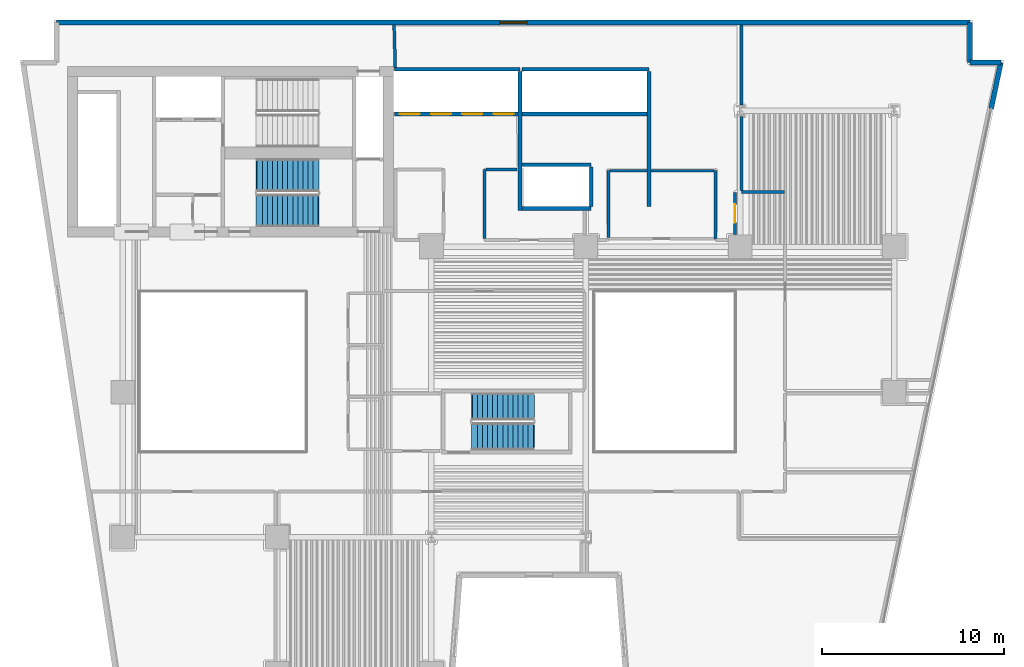
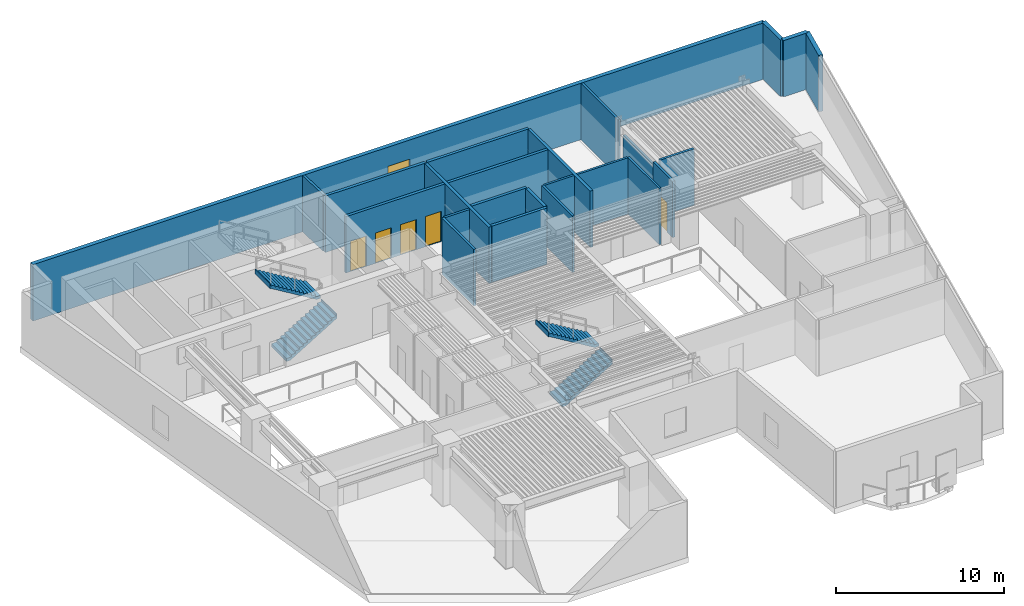
# One storey, part 6 of 12: 24 walls, 5 doors, 4 stair flights, 1 window, 6 openings, 2 elements without a shape of their own.
"""IFC4 building model written with IfcOpenShell, lengths in metres."""

from ifc_helpers import new_model, si_unit, direction, frame, frame_2d, origin, place, context, subcontext, project, spatial, polyline, rectangle, outline, extrude, material, layer, layer_set, type_object, element, fill, aggregate, save


model = new_model("IFC4")

# Units and contexts
model_context = context("Model", 3, precision=1e-05, world=origin(), true_north=direction((0.0, 1.0)))
body_context = subcontext(model_context, "Body", "Model", "MODEL_VIEW")
ifc_project = project(units=[si_unit("LENGTHUNIT", "METRE"), si_unit("AREAUNIT", "SQUARE_METRE"), si_unit("VOLUMEUNIT", "CUBIC_METRE"), si_unit("PLANEANGLEUNIT", "RADIAN"), si_unit("MASSUNIT", "GRAM", prefix="KILO")], contexts=[model_context])

# Site, building, storey
site_placement = place(None, origin())
site = spatial("IfcSite", under=ifc_project, at=site_placement, CompositionType="ELEMENT")
building_placement = place(site_placement, origin())
building = spatial("IfcBuilding", under=site, at=building_placement, Name="Caeloran Harvest Quay", CompositionType="ELEMENT")
storey_placement = place(building_placement, frame((0.0, 0.0, 27.0)))
storey = spatial("IfcBuildingStorey", under=building, at=storey_placement, Name="L06", CompositionType="ELEMENT", Elevation=27.0)

# Wall, opening, window
ifc_material_1 = material(Name="Precast concrete C50/60", Category="concrete")
ifc_layer_1 = layer(ifc_material_1, 0.280029296875, Name="Precast concrete C50/60")
ifc_layer_set_1 = layer_set([ifc_layer_1], Name="Precast concrete C50/60")
wall_type_1 = type_object("IfcWallType", Name="ENV-WALL-EW-280", PredefinedType="STANDARD", material=ifc_layer_set_1)
wall_1_placement = place(storey_placement, frame((4.840087890625, 43.360107421875, 0.0), z_axis=(0.0, 0.0, 1.0), x_axis=(1.0, 0.0, 0.0)))
wall_1 = element("IfcWall", 1, at=wall_1_placement, inside=storey, type_object=wall_type_1, Name="L06 Exterior Precast Concrete Facade Wall 6", PredefinedType="STANDARD", context=body_context, shape_type="SweptSolid", body=[
    extrude(rectangle(XDim=50.31982421875, YDim=0.280029296875, at=frame_2d((25.159912109375, 0.0))), origin(), (0.0, 0.0, 1.0), 4.10009765625),
])
opening_1_placement = place(wall_1_placement, frame((24.409912109375, 0.0, 0.89990234375)))
opening_1 = element("IfcOpeningElement", 2, at=opening_1_placement, cuts=wall_1, Name="Opening W-03", PredefinedType="OPENING", context=body_context, shape_type="SweptSolid", body=[
    extrude(rectangle(XDim=1.5, YDim=1.800048828125, at=frame_2d((0.75, 0.89990234375))), frame((0.0, 0.14990234375, 0.0), z_axis=(0.0, -1.0, 0.0), x_axis=(1.0, 0.0, 0.0)), (0.0, 0.0, 1.0), 0.300048828125),
])
ifc_material_2 = material(Name="Aluminium-Framed Low-E Laminated Glass", Category="aluminium")
window_type = type_object("IfcWindowType", Name="WIN-W-03", PartitioningType="SINGLE_PANEL", PredefinedType="WINDOW", material=ifc_material_2)
window_placement = place(opening_1_placement, origin())
window = element("IfcWindow", 3, at=window_placement, inside=storey, type_object=window_type, Name="L06 Facade Punched Window W-03", OverallHeight=1.800048828125, OverallWidth=1.5, PartitioningType="SINGLE_PANEL", PredefinedType="WINDOW", context=body_context, shape_type="SweptSolid", body=[
    extrude(rectangle(XDim=1.5, YDim=1.800048828125, at=frame_2d((0.75, 0.89990234375))), frame((0.0, 0.030029296875, 0.0), z_axis=(0.0, -1.0, 0.0), x_axis=(1.0, 0.0, 0.0)), (0.0, 0.0, 1.0), 0.06005859375),
])
fill(opening_1, window)

# Walls
wall_2_placement = place(storey_placement, frame((55.159912109375, 43.360107421875, 0.0), z_axis=(0.0, 0.0, 1.0), x_axis=(0.0, -1.0, 0.0)))
element("IfcWall", 4, at=wall_2_placement, inside=storey, type_object=wall_type_1, Name="L06 Exterior Precast Concrete Facade Wall 7", PredefinedType="STANDARD", context=body_context, shape_type="SweptSolid", body=[
    extrude(rectangle(XDim=2.2001953125, YDim=0.280029296875, at=frame_2d((1.10009765625, 0.0))), origin(), (0.0, 0.0, 1.0), 4.10009765625),
])
wall_3_placement = place(storey_placement, frame((55.159912109375, 41.159912109375, 0.0), z_axis=(0.0, 0.0, 1.0), x_axis=(1.0, 0.0, 0.0)))
element("IfcWall", 5, at=wall_3_placement, inside=storey, type_object=wall_type_1, Name="L06 Exterior Precast Concrete Facade Wall 8", PredefinedType="STANDARD", context=body_context, shape_type="SweptSolid", body=[
    extrude(rectangle(XDim=1.705322265625, YDim=0.280029296875, at=frame_2d((0.8525390625, 0.0))), origin(), (0.0, 0.0, 1.0), 4.10009765625),
])
wall_4_placement = place(storey_placement, frame((56.865234375, 41.159912109375, 0.0), z_axis=(0.0, 0.0, 1.0), x_axis=(-0.205551409765, -0.978646319128, 0.0)))
element("IfcWall", 6, at=wall_4_placement, inside=storey, type_object=wall_type_1, Name="L06 Exterior Facade Corner Pier Wall 9A", PredefinedType="STANDARD", context=body_context, shape_type="SweptSolid", body=[
    extrude(rectangle(XDim=2.599853515625, YDim=0.280029296875, at=frame_2d((1.2998046875, 0.0))), origin(), (0.0, 0.0, 1.0), 4.10009765625),
])
ifc_material_3 = material(Name="Autoclaved Aerated Concrete Blockwork and Plasterboard", Category="masonry")
ifc_layer_2 = layer(ifc_material_3, 0.14990234375, Name="Autoclaved Aerated Concrete Blockwork and Plasterboard")
ifc_layer_set_2 = layer_set([ifc_layer_2], Name="Autoclaved Aerated Concrete Blockwork and Plasterboard")
wall_type_2 = type_object("IfcWallType", Name="INT-WALL-PW-150", PredefinedType="PARTITIONING", material=ifc_layer_set_2)
wall_5_placement = place(storey_placement, frame((41.14990234375, 35.199951171875, 0.0), z_axis=(0.0, 0.0, 1.0), x_axis=(0.0, -1.0, 0.0)))
element("IfcWall", 7, at=wall_5_placement, inside=storey, type_object=wall_type_2, Name="L06 Core Telemetry Control Room Partition Wall", PredefinedType="PARTITIONING", context=body_context, shape_type="SweptSolid", body=[
    extrude(rectangle(XDim=3.75, YDim=0.14990234375, at=frame_2d((1.875, 0.0))), origin(), (0.0, 0.0, 1.0), 4.10009765625),
])
wall_6_placement = place(storey_placement, frame((35.25, 31.530029296875, 0.0), z_axis=(0.0, 0.0, 1.0), x_axis=(0.0, 1.0, 0.0)))
element("IfcWall", 8, at=wall_6_placement, inside=storey, type_object=wall_type_2, Name="L06 Core Telemetry Control Room Partition Wall", PredefinedType="PARTITIONING", context=body_context, shape_type="SweptSolid", body=[
    extrude(rectangle(XDim=3.669921875, YDim=0.14990234375, at=frame_2d((1.8349609375, 0.0))), origin(), (0.0, 0.0, 1.0), 4.10009765625),
])
wall_7_placement = place(storey_placement, frame((35.330078125, 35.199951171875, 0.0), z_axis=(0.0, 0.0, 1.0), x_axis=(1.0, 0.0, 0.0)))
element("IfcWall", 9, at=wall_7_placement, inside=storey, type_object=wall_type_2, Name="L06 Core Telemetry Control Room Partition Wall", PredefinedType="PARTITIONING", context=body_context, shape_type="SweptSolid", body=[
    extrude(rectangle(XDim=2.044921875, YDim=0.14990234375, at=frame_2d((1.0224609375, 0.0))), origin(), (0.0, 0.0, 1.0), 4.10009765625),
])
wall_8_placement = place(storey_placement, frame((37.5849609375, 35.199951171875, 0.0), z_axis=(0.0, 0.0, 1.0), x_axis=(1.0, 0.0, 0.0)))
element("IfcWall", 10, at=wall_8_placement, inside=storey, type_object=wall_type_2, Name="L06 Core Telemetry Control Room Partition Wall", PredefinedType="PARTITIONING", context=body_context, shape_type="SweptSolid", body=[
    extrude(rectangle(XDim=3.485107421875, YDim=0.14990234375, at=frame_2d((1.74267578125, 0.0))), origin(), (0.0, 0.0, 1.0), 4.10009765625),
])
ifc_material_4 = material(Name="Autoclaved Aerated Concrete Blockwork", Category="masonry")
ifc_layer_3 = layer(ifc_material_4, 0.1650390625, Name="Autoclaved Aerated Concrete Blockwork")
ifc_layer_set_3 = layer_set([ifc_layer_3], Name="Autoclaved Aerated Concrete Blockwork")
wall_type_3 = type_object("IfcWallType", Name="INT-WALL-PW-165", PredefinedType="PARTITIONING", material=ifc_layer_set_3)
wall_9_placement = place(storey_placement, frame((28.429931640625, 31.467529296875, 0.0), z_axis=(0.0, 0.0, 1.0), x_axis=(0.0, 1.0, 0.0)))
element("IfcWall", 11, at=wall_9_placement, inside=storey, type_object=wall_type_3, Name="Equipment Sterilisation Room Partition Wall", PredefinedType="PARTITIONING", context=body_context, shape_type="SweptSolid", body=[
    extrude(rectangle(XDim=3.802490234375, YDim=0.1650390625, at=frame_2d((1.9013671875, 0.0))), origin(), (0.0, 0.0, 1.0), 4.10009765625),
])
wall_10_placement = place(storey_placement, frame((28.517578125, 35.27001953125, 0.0), z_axis=(0.0, 0.0, 1.0), x_axis=(1.0, 0.0, 0.0)))
element("IfcWall", 12, at=wall_10_placement, inside=storey, type_object=wall_type_3, Name="Equipment Sterilisation Room Partition Wall", PredefinedType="PARTITIONING", context=body_context, shape_type="SweptSolid", body=[
    extrude(rectangle(XDim=1.702392578125, YDim=0.1650390625, at=frame_2d((0.85107421875, 0.0))), origin(), (0.0, 0.0, 1.0), 4.10009765625),
])
wall_11_placement = place(storey_placement, frame((44.949951171875, 34.030029296875, 0.0), z_axis=(0.0, 0.0, 1.0), x_axis=(-1.0, 0.0, 0.0)))
element("IfcWall", 13, at=wall_11_placement, inside=storey, type_object=wall_type_3, Name="Aeroponic Root-Mist Growing Chamber 10 Partition Wall", PredefinedType="PARTITIONING", context=body_context, shape_type="SweptSolid", body=[
    extrude(rectangle(XDim=2.369873046875, YDim=0.1650390625, at=frame_2d((1.18505859375, 0.0))), origin(), (0.0, 0.0, 1.0), 4.10009765625),
])
wall_12_placement = place(storey_placement, frame((42.580078125, 34.117431640625, 0.0), z_axis=(0.0, 0.0, 1.0), x_axis=(0.0, 1.0, 0.0)))
element("IfcWall", 14, at=wall_12_placement, inside=storey, type_object=wall_type_3, Name="Aeroponic Root-Mist Growing Chamber 10 Partition Wall", PredefinedType="PARTITIONING", context=body_context, shape_type="SweptSolid", body=[
    extrude(rectangle(XDim=4.072998046875, YDim=0.1650390625, at=frame_2d((2.03662109375, 0.0))), origin(), (0.0, 0.0, 1.0), 3.385009765625),
])
wall_13_placement = place(storey_placement, frame((42.580078125, 38.8095703125, 0.0), z_axis=(0.0, 0.0, 1.0), x_axis=(0.0, 1.0, 0.0)))
element("IfcWall", 15, at=wall_13_placement, inside=storey, type_object=wall_type_3, Name="Aeroponic Root-Mist Growing Chamber 10 Partition Wall", PredefinedType="PARTITIONING", context=body_context, shape_type="SweptSolid", body=[
    extrude(rectangle(XDim=4.405517578125, YDim=0.1650390625, at=frame_2d((2.20263671875, 0.0))), origin(), (0.0, 0.0, 1.0), 4.10009765625),
])
wall_14_placement = place(storey_placement, frame((23.505615234375, 40.885009765625, 0.0), z_axis=(0.0, 0.0, 1.0), x_axis=(-0.027441464163, 0.999623412113, 0.0)))
element("IfcWall", 16, at=wall_14_placement, inside=storey, type_object=wall_type_3, Name="Seedling Nursery Room 11 Partition Wall", PredefinedType="PARTITIONING", context=body_context, shape_type="SweptSolid", body=[
    extrude(rectangle(XDim=2.3310546875, YDim=0.1650390625, at=frame_2d((1.16552734375, 0.0))), origin(), (0.0, 0.0, 1.0), 4.10009765625),
])

# Wall, opening, door
wall_15_placement = place(storey_placement, frame((42.219970703125, 34.0029296875, 0.0), z_axis=(0.0, 0.0, 1.0), x_axis=(0.0, -1.0, 0.0)))
wall_15 = element("IfcWall", 17, at=wall_15_placement, inside=storey, type_object=wall_type_3, Name="Seedling Nursery Room 11 Partition Wall", PredefinedType="PARTITIONING", context=body_context, shape_type="SweptSolid", body=[
    extrude(rectangle(XDim=2.327880859375, YDim=0.1650390625, at=frame_2d((1.1640625, 0.0))), origin(), (0.0, 0.0, 1.0), 4.10009765625),
])
opening_2_placement = place(wall_15_placement, frame((0.6640625, 0.0, 0.0)))
opening_2 = element("IfcOpeningElement", 18, at=opening_2_placement, cuts=wall_15, Name="Opening ID-01", PredefinedType="OPENING", context=body_context, shape_type="SweptSolid", body=[
    extrude(rectangle(XDim=1.0, YDim=2.14990234375, at=frame_2d((0.5, 1.074951171875))), frame((0.0, 0.092529296875, 0.0), z_axis=(0.0, -1.0, 0.0), x_axis=(1.0, 0.0, 0.0)), (0.0, 0.0, 1.0), 0.18505859375),
])
ifc_material_5 = material(Name="FSC Solid-Core Ash Timber and Acoustic Seal", Category="wood")
door_type_1 = type_object("IfcDoorType", Name="INTDOOR-ID-01", OperationType="NOTDEFINED", PredefinedType="DOOR", material=ifc_material_5)
door_1_placement = place(opening_2_placement, origin())
door_1 = element("IfcDoor", 19, at=door_1_placement, inside=storey, type_object=door_type_1, Name="Seedling Nursery Room 11 Access Door", OperationType="SINGLE_SWING_RIGHT", OverallHeight=2.14990234375, OverallWidth=1.0, PredefinedType="DOOR", context=body_context, shape_type="SweptSolid", body=[
    extrude(rectangle(XDim=1.0, YDim=2.14990234375, at=frame_2d((0.5, 1.074951171875))), frame((0.0, 0.02490234375, 0.0), z_axis=(0.0, -1.0, 0.0), x_axis=(1.0, 0.0, 0.0)), (0.0, 0.0, 1.0), 0.050048828125),
])
fill(opening_2, door_1)

# Walls
ifc_material_6 = material(Name="Concrete C50/60", Category="concrete")
ifc_layer_4 = layer(ifc_material_6, 0.199951171875, Name="Concrete C50/60")
ifc_layer_set_4 = layer_set([ifc_layer_4], Name="Concrete C50/60")
wall_type_4 = type_object("IfcWallType", Name="INT-WALL-SW-200", PredefinedType="PARTITIONING", material=ifc_layer_set_4)
wall_16_placement = place(storey_placement, frame((23.469970703125, 40.780029296875, 0.0), z_axis=(0.0, 0.0, 1.0), x_axis=(1.0, 0.0, 0.0)))
element("IfcWall", 20, at=wall_16_placement, inside=storey, type_object=wall_type_4, Name="L06 Bank 1 Lift Shaft North Wall", PredefinedType="PARTITIONING", context=body_context, shape_type="SweptSolid", body=[
    extrude(rectangle(XDim=6.909912109375, YDim=0.199951171875, at=frame_2d((3.455078125, 0.0))), origin(), (0.0, 0.0, 1.0), 4.10009765625),
])
wall_17_placement = place(storey_placement, frame((30.3798828125, 33.02001953125, 0.0), z_axis=(0.0, 0.0, 1.0), x_axis=(0.0, 1.0, 0.0)))
element("IfcWall", 21, at=wall_17_placement, inside=storey, type_object=wall_type_4, Name="L06 Bank 1 Lift Shaft East Wall", PredefinedType="PARTITIONING", context=body_context, shape_type="SweptSolid", body=[
    extrude(rectangle(XDim=7.639892578125, YDim=0.199951171875, at=frame_2d((3.81982421875, 0.0))), origin(), (0.0, 0.0, 1.0), 4.10009765625),
])

# Wall, openings, doors
wall_18_placement = place(storey_placement, frame((23.469970703125, 38.320068359375, 0.0), z_axis=(0.0, 0.0, 1.0), x_axis=(1.0, 0.0, 0.0)))
wall_18 = element("IfcWall", 22, at=wall_18_placement, inside=storey, type_object=wall_type_4, Name="L06 Bank 1 Lift Landing Front Wall", PredefinedType="PARTITIONING", context=body_context, shape_type="SweptSolid", body=[
    extrude(rectangle(XDim=6.7900390625, YDim=0.199951171875, at=frame_2d((3.39501953125, 0.0))), origin(), (0.0, 0.0, 1.0), 4.10009765625),
])
opening_3_placement = place(wall_18_placement, frame((0.2900390625, 0.0, 0.0)))
opening_3 = element("IfcOpeningElement", 23, at=opening_3_placement, cuts=wall_18, Name="Opening LD-01", PredefinedType="OPENING", context=body_context, shape_type="SweptSolid", body=[
    extrude(rectangle(XDim=1.10009765625, YDim=2.199951171875, at=frame_2d((0.550048828125, 1.10009765625))), frame((0.0, 0.10986328125, 0.0), z_axis=(0.0, -1.0, 0.0), x_axis=(1.0, 0.0, 0.0)), (0.0, 0.0, 1.0), 0.219970703125),
])
opening_4_placement = place(wall_18_placement, frame((2.010009765625, 0.0, 0.0)))
opening_4 = element("IfcOpeningElement", 24, at=opening_4_placement, cuts=wall_18, Name="Opening LD-01", PredefinedType="OPENING", context=body_context, shape_type="SweptSolid", body=[
    extrude(rectangle(XDim=1.10009765625, YDim=2.199951171875, at=frame_2d((0.550048828125, 1.10009765625))), frame((0.0, 0.10986328125, 0.0), z_axis=(0.0, -1.0, 0.0), x_axis=(1.0, 0.0, 0.0)), (0.0, 0.0, 1.0), 0.219970703125),
])
opening_5_placement = place(wall_18_placement, frame((3.72998046875, 0.0, 0.0)))
opening_5 = element("IfcOpeningElement", 25, at=opening_5_placement, cuts=wall_18, Name="Opening LD-01", PredefinedType="OPENING", context=body_context, shape_type="SweptSolid", body=[
    extrude(rectangle(XDim=1.10009765625, YDim=2.199951171875, at=frame_2d((0.550048828125, 1.10009765625))), frame((0.0, 0.10986328125, 0.0), z_axis=(0.0, -1.0, 0.0), x_axis=(1.0, 0.0, 0.0)), (0.0, 0.0, 1.0), 0.219970703125),
])
opening_6_placement = place(wall_18_placement, frame((5.449951171875, 0.0, 0.0)))
opening_6 = element("IfcOpeningElement", 26, at=opening_6_placement, cuts=wall_18, Name="Opening LD-01", PredefinedType="OPENING", context=body_context, shape_type="SweptSolid", body=[
    extrude(rectangle(XDim=1.10009765625, YDim=2.199951171875, at=frame_2d((0.550048828125, 1.10009765625))), frame((0.0, 0.10986328125, 0.0), z_axis=(0.0, -1.0, 0.0), x_axis=(1.0, 0.0, 0.0)), (0.0, 0.0, 1.0), 0.219970703125),
])
ifc_material_7 = material(Name="Stainless Steel Grade 316", Category="steel")
door_type_2 = type_object("IfcDoorType", Name="INTDOOR-LD-01", OperationType="NOTDEFINED", PredefinedType="DOOR", material=ifc_material_7)
door_2_placement = place(opening_3_placement, origin())
door_2 = element("IfcDoor", 27, at=door_2_placement, inside=storey, type_object=door_type_2, Name="Lift P1-1 Sliding Landing Door (L06)", OperationType="DOUBLE_DOOR_SLIDING", OverallHeight=2.199951171875, OverallWidth=1.10009765625, PredefinedType="DOOR", context=body_context, shape_type="SweptSolid", body=[
    extrude(rectangle(XDim=1.10009765625, YDim=2.199951171875, at=frame_2d((0.550048828125, 1.10009765625))), frame((0.0, 0.02490234375, 0.0), z_axis=(0.0, -1.0, 0.0), x_axis=(1.0, 0.0, 0.0)), (0.0, 0.0, 1.0), 0.050048828125),
])
fill(opening_3, door_2)
door_3_placement = place(opening_4_placement, origin())
door_3 = element("IfcDoor", 28, at=door_3_placement, inside=storey, type_object=door_type_2, Name="Lift P1-2 Sliding Landing Door (L06)", OperationType="DOUBLE_DOOR_SLIDING", OverallHeight=2.199951171875, OverallWidth=1.10009765625, PredefinedType="DOOR", context=body_context, shape_type="SweptSolid", body=[
    extrude(rectangle(XDim=1.10009765625, YDim=2.199951171875, at=frame_2d((0.550048828125, 1.10009765625))), frame((0.0, 0.02490234375, 0.0), z_axis=(0.0, -1.0, 0.0), x_axis=(1.0, 0.0, 0.0)), (0.0, 0.0, 1.0), 0.050048828125),
])
fill(opening_4, door_3)
door_4_placement = place(opening_5_placement, origin())
door_4 = element("IfcDoor", 29, at=door_4_placement, inside=storey, type_object=door_type_2, Name="Lift P1-3 Sliding Landing Door (L06)", OperationType="DOUBLE_DOOR_SLIDING", OverallHeight=2.199951171875, OverallWidth=1.10009765625, PredefinedType="DOOR", context=body_context, shape_type="SweptSolid", body=[
    extrude(rectangle(XDim=1.10009765625, YDim=2.199951171875, at=frame_2d((0.550048828125, 1.10009765625))), frame((0.0, 0.02490234375, 0.0), z_axis=(0.0, -1.0, 0.0), x_axis=(1.0, 0.0, 0.0)), (0.0, 0.0, 1.0), 0.050048828125),
])
fill(opening_5, door_4)
door_5_placement = place(opening_6_placement, origin())
door_5 = element("IfcDoor", 30, at=door_5_placement, inside=storey, type_object=door_type_2, Name="Lift P1-4 Sliding Landing Door (L06)", OperationType="DOUBLE_DOOR_SLIDING", OverallHeight=2.199951171875, OverallWidth=1.10009765625, PredefinedType="DOOR", context=body_context, shape_type="SweptSolid", body=[
    extrude(rectangle(XDim=1.10009765625, YDim=2.199951171875, at=frame_2d((0.550048828125, 1.10009765625))), frame((0.0, 0.02490234375, 0.0), z_axis=(0.0, -1.0, 0.0), x_axis=(1.0, 0.0, 0.0)), (0.0, 0.0, 1.0), 0.050048828125),
])
fill(opening_6, door_5)

# Walls
wall_19_placement = place(storey_placement, frame((30.5, 40.780029296875, 0.0), z_axis=(0.0, 0.0, 1.0), x_axis=(1.0, 0.0, 0.0)))
element("IfcWall", 31, at=wall_19_placement, inside=storey, type_object=wall_type_4, Name="L06 Bank 2 Lift Shaft North Wall", PredefinedType="PARTITIONING", context=body_context, shape_type="SweptSolid", body=[
    extrude(rectangle(XDim=6.97998046875, YDim=0.199951171875, at=frame_2d((3.489990234375, 0.0))), origin(), (0.0, 0.0, 1.0), 4.10009765625),
])
wall_20_placement = place(storey_placement, frame((37.47998046875, 33.239990234375, 0.0), z_axis=(0.0, 0.0, 1.0), x_axis=(0.0, 1.0, 0.0)))
element("IfcWall", 32, at=wall_20_placement, inside=storey, type_object=wall_type_4, Name="L06 Bank 2 Lift Shaft East Wall", PredefinedType="PARTITIONING", context=body_context, shape_type="SweptSolid", body=[
    extrude(rectangle(XDim=7.419921875, YDim=0.199951171875, at=frame_2d((3.7099609375, 0.0))), origin(), (0.0, 0.0, 1.0), 4.10009765625),
])
wall_21_placement = place(storey_placement, frame((30.5, 38.320068359375, 0.0), z_axis=(0.0, 0.0, 1.0), x_axis=(1.0, 0.0, 0.0)))
element("IfcWall", 33, at=wall_21_placement, inside=storey, type_object=wall_type_4, Name="L06 Bank 2 Lift Landing Front Wall", PredefinedType="PARTITIONING", context=body_context, shape_type="SweptSolid", body=[
    extrude(rectangle(XDim=6.860107421875, YDim=0.199951171875, at=frame_2d((3.43017578125, 0.0))), origin(), (0.0, 0.0, 1.0), 4.10009765625),
])
for number, where, z_axis, x_axis, name in (
    (34, (30.5, 35.530029296875, 0.0), (0.0, 0.0, 1.0), (1.0, 0.0, 0.0), "L06 Shuttle Lift Landing Front Wall"),
    (35, (30.5, 33.1201171875, 0.0), (0.0, 0.0, 1.0), (1.0, 0.0, 0.0), "L06 Shuttle Lift Shaft South Wall"),
):
    element("IfcWall", number, at=place(storey_placement, frame(where, z_axis=z_axis, x_axis=x_axis)), inside=storey, type_object=wall_type_4, Name=name, PredefinedType="PARTITIONING", context=body_context, shape_type="SweptSolid", body=[
        extrude(rectangle(XDim=3.800048828125, YDim=0.199951171875, at=frame_2d((1.89990234375, 0.0))), origin(), (0.0, 0.0, 1.0), 4.10009765625),
    ])
wall_22_placement = place(storey_placement, frame((34.300048828125, 33.239990234375, 0.0), z_axis=(0.0, 0.0, 1.0), x_axis=(0.0, 1.0, 0.0)))
element("IfcWall", 36, at=wall_22_placement, inside=storey, type_object=wall_type_4, Name="L06 Shuttle Lift Shaft East Wall", PredefinedType="PARTITIONING", context=body_context, shape_type="SweptSolid", body=[
    extrude(rectangle(XDim=2.169921875, YDim=0.199951171875, at=frame_2d((1.0849609375, 0.0))), origin(), (0.0, 0.0, 1.0), 4.10009765625),
])

# Stair, stair flights
stair_type_1 = type_object("IfcStairType", Name="STAIR-STC-180", PredefinedType="HALF_TURN_STAIR", material=ifc_material_6)
stair_1_placement = place(storey_placement, origin())
stair_1 = element("IfcStair", 37, at=stair_1_placement, inside=storey, type_object=stair_type_1, Name="L06 Core Pressurized Exit Stair ST-C2", PredefinedType="HALF_TURN_STAIR")
stair_flight_type_1 = type_object("IfcStairFlightType", Name="FLIGHT-STC-180", PredefinedType="STRAIGHT", material=ifc_material_6)
stair_flight_1_placement = place(storey_placement, frame((15.89990234375, 33.0, 0.0), z_axis=(0.0, 0.0, 1.0), x_axis=(1.0, 0.0, 0.0)))
stair_flight_1 = element("IfcStairFlight", 38, at=stair_flight_1_placement, type_object=stair_flight_type_1, Name="ST-C2 flight 1", NumberOfRisers=13, NumberOfTreads=12, PredefinedType="STRAIGHT", RiserHeight=0.169230769, TreadLength=0.28, context=body_context, shape_type="SweptSolid", body=[
    extrude(outline(polyline([(-0.054931640625, -0.044921875), (-0.054931640625, -0.031494140625), (-0.054931640625, -0.018310546875), (-0.054931640625, -0.0048828125), (-0.054931640625, 0.008544921875), (-0.054931640625, 0.02197265625), (-0.054931640625, 0.035400390625), (-0.054931640625, 0.048828125), (-0.054931640625, 0.06201171875), (-0.054931640625, 0.075439453125), (-0.054931640625, 0.0888671875), (-0.054931640625, 0.102294921875), (-0.054931640625, 0.11572265625), (-0.054931640625, 0.129150390625), (-0.054931640625, 0.142333984375), (-0.054931640625, 0.15576171875), (-0.054931640625, 0.169189453125), (0.280029296875, 0.169189453125), (0.280029296875, 0.33837890625), (0.56005859375, 0.33837890625), (0.56005859375, 0.5078125), (0.840087890625, 0.5078125), (0.840087890625, 0.677001953125), (1.1201171875, 0.677001953125), (1.1201171875, 0.84619140625), (1.39990234375, 0.84619140625), (1.39990234375, 1.015380859375), (1.679931640625, 1.015380859375), (1.679931640625, 1.1845703125), (1.9599609375, 1.1845703125), (1.9599609375, 1.353759765625), (2.239990234375, 1.353759765625), (2.239990234375, 1.523193359375), (2.52001953125, 1.523193359375), (2.52001953125, 1.6923828125), (2.800048828125, 1.6923828125), (2.800048828125, 1.861572265625), (3.080078125, 1.861572265625), (3.080078125, 2.03076171875), (3.360107421875, 2.03076171875), (3.360107421875, 2.199951171875), (3.4150390625, 2.199951171875), (3.4150390625, 2.178466796875), (3.4150390625, 2.156982421875), (3.4150390625, 2.135498046875), (3.4150390625, 2.114013671875), (3.4150390625, 2.09228515625), (3.4150390625, 2.07080078125), (3.4150390625, 2.04931640625), (3.4150390625, 2.02783203125), (3.4150390625, 2.00634765625), (3.4150390625, 1.98486328125), (3.4150390625, 1.963134765625), (3.4150390625, 1.941650390625), (3.4150390625, 1.920166015625), (3.4150390625, 1.898681640625), (3.4150390625, 1.877197265625), (3.4150390625, 1.855712890625), (3.360107421875, 1.855712890625), (0.21533203125, -0.044921875), (-0.054931640625, -0.044921875)])), frame((0.0, 0.89990234375, 0.0), z_axis=(0.0, -1.0, 0.0), x_axis=(1.0, 0.0, 0.0)), (0.0, 0.0, 1.0), 1.800048828125),
])
stair_flight_2_placement = place(storey_placement, frame((19.260009765625, 34.949951171875, 2.199951171875), z_axis=(0.0, 0.0, 1.0), x_axis=(-1.0, 0.0, 0.0)))
stair_flight_2 = element("IfcStairFlight", 39, at=stair_flight_2_placement, type_object=stair_flight_type_1, Name="ST-C2 flight 2", NumberOfRisers=13, NumberOfTreads=12, PredefinedType="STRAIGHT", RiserHeight=0.169230769, TreadLength=0.28, context=body_context, shape_type="SweptSolid", body=[
    extrude(outline(polyline([(-0.054931640625, -0.044921875), (-0.054931640625, -0.031494140625), (-0.054931640625, -0.018310546875), (-0.054931640625, -0.0048828125), (-0.054931640625, 0.008544921875), (-0.054931640625, 0.02197265625), (-0.054931640625, 0.035400390625), (-0.054931640625, 0.048828125), (-0.054931640625, 0.06201171875), (-0.054931640625, 0.075439453125), (-0.054931640625, 0.0888671875), (-0.054931640625, 0.102294921875), (-0.054931640625, 0.11572265625), (-0.054931640625, 0.129150390625), (-0.054931640625, 0.142333984375), (-0.054931640625, 0.15576171875), (-0.054931640625, 0.169189453125), (0.280029296875, 0.169189453125), (0.280029296875, 0.33837890625), (0.56005859375, 0.33837890625), (0.56005859375, 0.5078125), (0.840087890625, 0.5078125), (0.840087890625, 0.677001953125), (1.1201171875, 0.677001953125), (1.1201171875, 0.84619140625), (1.39990234375, 0.84619140625), (1.39990234375, 1.015380859375), (1.679931640625, 1.015380859375), (1.679931640625, 1.1845703125), (1.9599609375, 1.1845703125), (1.9599609375, 1.353759765625), (2.239990234375, 1.353759765625), (2.239990234375, 1.523193359375), (2.52001953125, 1.523193359375), (2.52001953125, 1.6923828125), (2.800048828125, 1.6923828125), (2.800048828125, 1.861572265625), (3.080078125, 1.861572265625), (3.080078125, 2.03076171875), (3.360107421875, 2.03076171875), (3.360107421875, 2.199951171875), (3.4150390625, 2.199951171875), (3.4150390625, 2.178466796875), (3.4150390625, 2.156982421875), (3.4150390625, 2.135498046875), (3.4150390625, 2.114013671875), (3.4150390625, 2.09228515625), (3.4150390625, 2.07080078125), (3.4150390625, 2.04931640625), (3.4150390625, 2.02783203125), (3.4150390625, 2.00634765625), (3.4150390625, 1.98486328125), (3.4150390625, 1.963134765625), (3.4150390625, 1.941650390625), (3.4150390625, 1.920166015625), (3.4150390625, 1.898681640625), (3.4150390625, 1.877197265625), (3.4150390625, 1.855712890625), (3.360107421875, 1.855712890625), (0.21533203125, -0.044921875), (-0.054931640625, -0.044921875)])), frame((0.0, 0.89990234375, 0.0), z_axis=(0.0, -1.0, 0.0), x_axis=(1.0, 0.0, 0.0)), (0.0, 0.0, 1.0), 1.800048828125),
])
aggregate(stair_1, [stair_flight_1, stair_flight_2])

stair_type_2 = type_object("IfcStairType", Name="STAIR-STW-150", PredefinedType="HALF_TURN_STAIR", material=ifc_material_6)
stair_2_placement = place(storey_placement, origin())
stair_2 = element("IfcStair", 40, at=stair_2_placement, inside=storey, type_object=stair_type_2, Name="L06 East Wing Protected Exit Stair ST-W1", PredefinedType="HALF_TURN_STAIR")
stair_flight_type_2 = type_object("IfcStairFlightType", Name="FLIGHT-STW-150", PredefinedType="STRAIGHT", material=ifc_material_6)
stair_flight_3_placement = place(storey_placement, frame((27.75, 20.550048828125, 0.0), z_axis=(0.0, 0.0, 1.0), x_axis=(1.0, 0.0, 0.0)))
stair_flight_3 = element("IfcStairFlight", 41, at=stair_flight_3_placement, type_object=stair_flight_type_2, Name="ST-W1 flight 1", NumberOfRisers=13, NumberOfTreads=12, PredefinedType="STRAIGHT", RiserHeight=0.169230769, TreadLength=0.28, context=body_context, shape_type="SweptSolid", body=[
    extrude(outline(polyline([(-0.054931640625, -0.044921875), (-0.054931640625, -0.031494140625), (-0.054931640625, -0.018310546875), (-0.054931640625, -0.0048828125), (-0.054931640625, 0.008544921875), (-0.054931640625, 0.02197265625), (-0.054931640625, 0.035400390625), (-0.054931640625, 0.048828125), (-0.054931640625, 0.06201171875), (-0.054931640625, 0.075439453125), (-0.054931640625, 0.0888671875), (-0.054931640625, 0.102294921875), (-0.054931640625, 0.11572265625), (-0.054931640625, 0.129150390625), (-0.054931640625, 0.142333984375), (-0.054931640625, 0.15576171875), (-0.054931640625, 0.169189453125), (0.280029296875, 0.169189453125), (0.280029296875, 0.33837890625), (0.56005859375, 0.33837890625), (0.56005859375, 0.5078125), (0.840087890625, 0.5078125), (0.840087890625, 0.677001953125), (1.1201171875, 0.677001953125), (1.1201171875, 0.84619140625), (1.39990234375, 0.84619140625), (1.39990234375, 1.015380859375), (1.679931640625, 1.015380859375), (1.679931640625, 1.1845703125), (1.9599609375, 1.1845703125), (1.9599609375, 1.353759765625), (2.239990234375, 1.353759765625), (2.239990234375, 1.523193359375), (2.52001953125, 1.523193359375), (2.52001953125, 1.6923828125), (2.800048828125, 1.6923828125), (2.800048828125, 1.861572265625), (3.080078125, 1.861572265625), (3.080078125, 2.03076171875), (3.360107421875, 2.03076171875), (3.360107421875, 2.199951171875), (3.4150390625, 2.199951171875), (3.4150390625, 2.178466796875), (3.4150390625, 2.156982421875), (3.4150390625, 2.135498046875), (3.4150390625, 2.114013671875), (3.4150390625, 2.09228515625), (3.4150390625, 2.07080078125), (3.4150390625, 2.04931640625), (3.4150390625, 2.02783203125), (3.4150390625, 2.00634765625), (3.4150390625, 1.98486328125), (3.4150390625, 1.963134765625), (3.4150390625, 1.941650390625), (3.4150390625, 1.920166015625), (3.4150390625, 1.898681640625), (3.4150390625, 1.877197265625), (3.4150390625, 1.855712890625), (3.360107421875, 1.855712890625), (0.21533203125, -0.044921875), (-0.054931640625, -0.044921875)])), frame((0.0, 0.75, 0.0), z_axis=(0.0, -1.0, 0.0), x_axis=(1.0, 0.0, 0.0)), (0.0, 0.0, 1.0), 1.5),
])
stair_flight_4_placement = place(storey_placement, frame((31.110107421875, 22.199951171875, 2.199951171875), z_axis=(0.0, 0.0, 1.0), x_axis=(-1.0, 0.0, 0.0)))
stair_flight_4 = element("IfcStairFlight", 42, at=stair_flight_4_placement, type_object=stair_flight_type_2, Name="ST-W1 flight 2", NumberOfRisers=13, NumberOfTreads=12, PredefinedType="STRAIGHT", RiserHeight=0.169230769, TreadLength=0.28, context=body_context, shape_type="SweptSolid", body=[
    extrude(outline(polyline([(-0.054931640625, -0.044921875), (-0.054931640625, -0.031494140625), (-0.054931640625, -0.018310546875), (-0.054931640625, -0.0048828125), (-0.054931640625, 0.008544921875), (-0.054931640625, 0.02197265625), (-0.054931640625, 0.035400390625), (-0.054931640625, 0.048828125), (-0.054931640625, 0.06201171875), (-0.054931640625, 0.075439453125), (-0.054931640625, 0.0888671875), (-0.054931640625, 0.102294921875), (-0.054931640625, 0.11572265625), (-0.054931640625, 0.129150390625), (-0.054931640625, 0.142333984375), (-0.054931640625, 0.15576171875), (-0.054931640625, 0.169189453125), (0.280029296875, 0.169189453125), (0.280029296875, 0.33837890625), (0.56005859375, 0.33837890625), (0.56005859375, 0.5078125), (0.840087890625, 0.5078125), (0.840087890625, 0.677001953125), (1.1201171875, 0.677001953125), (1.1201171875, 0.84619140625), (1.39990234375, 0.84619140625), (1.39990234375, 1.015380859375), (1.679931640625, 1.015380859375), (1.679931640625, 1.1845703125), (1.9599609375, 1.1845703125), (1.9599609375, 1.353759765625), (2.239990234375, 1.353759765625), (2.239990234375, 1.523193359375), (2.52001953125, 1.523193359375), (2.52001953125, 1.6923828125), (2.800048828125, 1.6923828125), (2.800048828125, 1.861572265625), (3.080078125, 1.861572265625), (3.080078125, 2.03076171875), (3.360107421875, 2.03076171875), (3.360107421875, 2.199951171875), (3.4150390625, 2.199951171875), (3.4150390625, 2.178466796875), (3.4150390625, 2.156982421875), (3.4150390625, 2.135498046875), (3.4150390625, 2.114013671875), (3.4150390625, 2.09228515625), (3.4150390625, 2.07080078125), (3.4150390625, 2.04931640625), (3.4150390625, 2.02783203125), (3.4150390625, 2.00634765625), (3.4150390625, 1.98486328125), (3.4150390625, 1.963134765625), (3.4150390625, 1.941650390625), (3.4150390625, 1.920166015625), (3.4150390625, 1.898681640625), (3.4150390625, 1.877197265625), (3.4150390625, 1.855712890625), (3.360107421875, 1.855712890625), (0.21533203125, -0.044921875), (-0.054931640625, -0.044921875)])), frame((0.0, 0.75, 0.0), z_axis=(0.0, -1.0, 0.0), x_axis=(1.0, 0.0, 0.0)), (0.0, 0.0, 1.0), 1.5),
])
aggregate(stair_2, [stair_flight_3, stair_flight_4])

save(model, "model.ifc")
